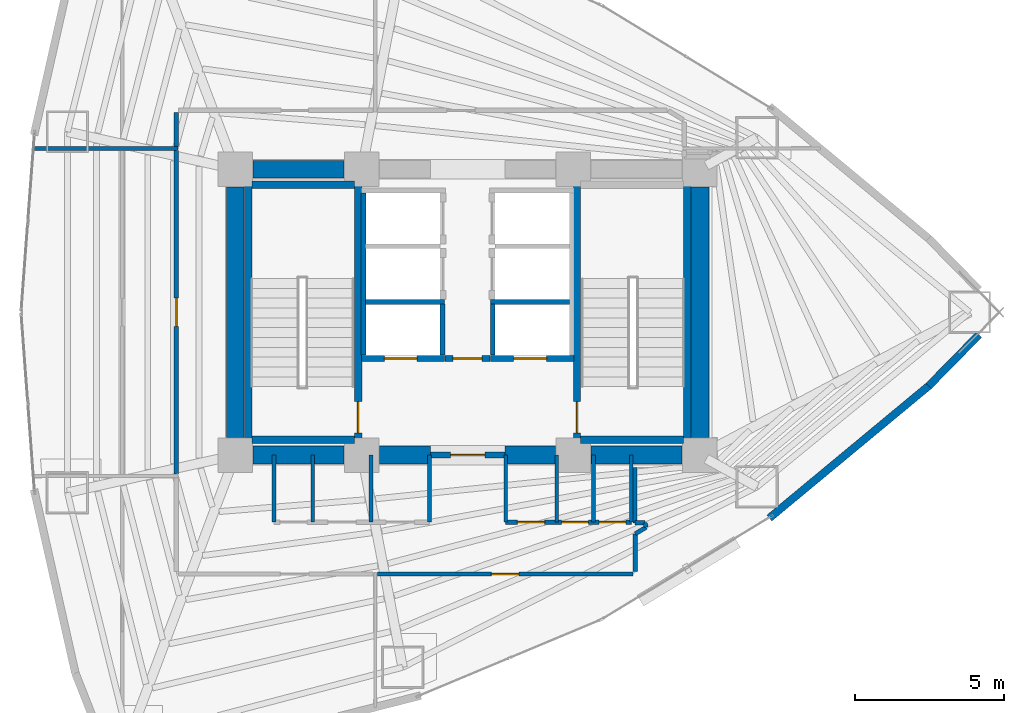
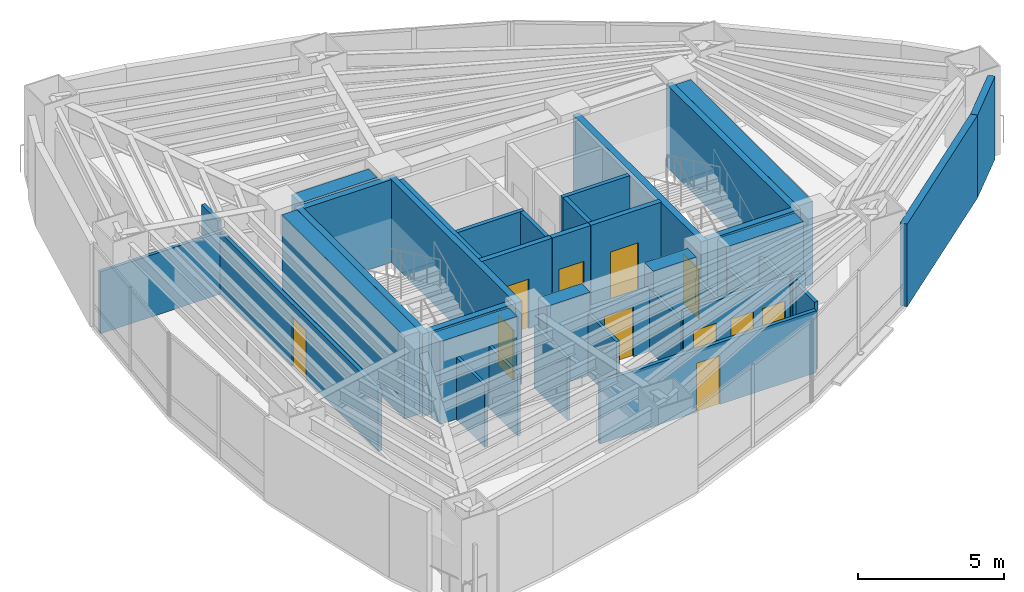
# One storey, part 14 of 17: 43 walls, 11 doors, 11 openings.
"""IFC4 building model written with IfcOpenShell, lengths in metres."""

from ifc_helpers import new_model, si_unit, direction, frame, frame_2d, origin, place, context, subcontext, project, spatial, rectangle, extrude, material, layer, layer_set, type_object, element, fill, save


model = new_model("IFC4")

# Units and contexts
model_context = context("Model", 3, precision=1e-05, world=origin(), true_north=direction((0.0, 1.0)))
body_context = subcontext(model_context, "Body", "Model", "MODEL_VIEW")
ifc_project = project(units=[si_unit("LENGTHUNIT", "METRE"), si_unit("AREAUNIT", "SQUARE_METRE"), si_unit("VOLUMEUNIT", "CUBIC_METRE"), si_unit("PLANEANGLEUNIT", "RADIAN"), si_unit("MASSUNIT", "GRAM", prefix="KILO")], contexts=[model_context])

# Site, building, storey
site_placement = place(None, origin())
site = spatial("IfcSite", under=ifc_project, at=site_placement, CompositionType="ELEMENT")
building_placement = place(site_placement, origin())
building = spatial("IfcBuilding", under=site, at=building_placement, Name="Menara Vayukalpa", CompositionType="ELEMENT")
storey_placement = place(building_placement, frame((0.0, 0.0, 42.47998046875)))
storey = spatial("IfcBuildingStorey", under=building, at=storey_placement, Name="L09", CompositionType="ELEMENT", Elevation=42.47998046875)

# Walls
ifc_material_1 = material(Name="Concrete C70/85", Category="concrete")
ifc_layer_1 = layer(ifc_material_1, 0.60009765625)
ifc_layer_set_1 = layer_set([ifc_layer_1], Name="Concrete C70/85")
wall_type_1 = type_object("IfcWallType", Name="WAL-CW600", PredefinedType="SHEAR", material=ifc_layer_set_1)
wall_1_placement = place(storey_placement, frame((18.39501953125, 17.199951171875, 0.0), z_axis=(0.0, 0.0, 1.0), x_axis=(1.0, 0.0, 0.0)))
element("IfcWall", 1, at=wall_1_placement, inside=storey, type_object=wall_type_1, Name="L09 Buttressed Core Shear Wall CWS1", PredefinedType="SHEAR", context=body_context, shape_type="SweptSolid", body=[
    extrude(rectangle(XDim=3.06005859375, YDim=0.60009765625, at=frame_2d((1.530029296875, 0.0))), origin(), (0.0, 0.0, 1.0), 3.469970703125),
])
wall_2_placement = place(storey_placement, frame((22.64501953125, 17.199951171875, 0.0), z_axis=(0.0, 0.0, 1.0), x_axis=(1.0, 0.0, 0.0)))
element("IfcWall", 2, at=wall_2_placement, inside=storey, type_object=wall_type_1, Name="L09 Buttressed Core Shear Wall CWS2", PredefinedType="SHEAR", context=body_context, shape_type="SweptSolid", body=[
    extrude(rectangle(XDim=1.705078125, YDim=0.60009765625, at=frame_2d((0.8525390625, 0.0))), origin(), (0.0, 0.0, 1.0), 3.469970703125),
])
wall_3_placement = place(storey_placement, frame((26.85009765625, 17.199951171875, 0.0), z_axis=(0.0, 0.0, 1.0), x_axis=(1.0, 0.0, 0.0)))
element("IfcWall", 3, at=wall_3_placement, inside=storey, type_object=wall_type_1, Name="L09 Buttressed Core Shear Wall CWS3", PredefinedType="SHEAR", context=body_context, shape_type="SweptSolid", body=[
    extrude(rectangle(XDim=1.704833984375, YDim=0.60009765625, at=frame_2d((0.8525390625, 0.0))), origin(), (0.0, 0.0, 1.0), 3.469970703125),
])
wall_4_placement = place(storey_placement, frame((29.7451171875, 17.199951171875, 0.0), z_axis=(0.0, 0.0, 1.0), x_axis=(1.0, 0.0, 0.0)))
element("IfcWall", 4, at=wall_4_placement, inside=storey, type_object=wall_type_1, Name="L09 Buttressed Core Shear Wall CWS4", PredefinedType="SHEAR", context=body_context, shape_type="SweptSolid", body=[
    extrude(rectangle(XDim=3.059814453125, YDim=0.60009765625, at=frame_2d((1.52978515625, 0.0))), origin(), (0.0, 0.0, 1.0), 3.469970703125),
])
wall_5_placement = place(storey_placement, frame((18.39501953125, 26.800048828125, 0.0), z_axis=(0.0, 0.0, 1.0), x_axis=(1.0, 0.0, 0.0)))
element("IfcWall", 5, at=wall_5_placement, inside=storey, type_object=wall_type_1, Name="L09 Buttressed Core Shear Wall CWN1", PredefinedType="SHEAR", context=body_context, shape_type="SweptSolid", body=[
    extrude(rectangle(XDim=3.06005859375, YDim=0.60009765625, at=frame_2d((1.530029296875, 0.0))), origin(), (0.0, 0.0, 1.0), 3.469970703125),
])
for number, where, z_axis, x_axis, name in (
    (6, (17.800048828125, 17.794921875, 0.0), (0.0, 0.0, 1.0), (0.0, 1.0, 0.0), "L09 Buttressed Core Shear Wall CWW1"),
    (7, (33.39990234375, 17.794921875, 0.0), (0.0, 0.0, 1.0), (0.0, 1.0, 0.0), "L09 Buttressed Core Shear Wall CWE1"),
):
    element("IfcWall", number, at=place(storey_placement, frame(where, z_axis=z_axis, x_axis=x_axis)), inside=storey, type_object=wall_type_1, Name=name, PredefinedType="SHEAR", context=body_context, shape_type="SweptSolid", body=[
        extrude(rectangle(XDim=8.41015625, YDim=0.60009765625, at=frame_2d((4.205078125, 0.0))), origin(), (0.0, 0.0, 1.0), 3.469970703125),
    ])
ifc_material_2 = material(Name="Insulated Precast Concrete C40/50", Category="concrete")
ifc_layer_2 = layer(ifc_material_2, 0.260009765625)
ifc_layer_set_2 = layer_set([ifc_layer_2], Name="Insulated Precast Concrete C40/50")
wall_type_2 = type_object("IfcWallType", Name="WAL-EXT260", PredefinedType="PARTITIONING", material=ifc_layer_set_2)
wall_6_placement = place(storey_placement, frame((42.770263671875, 21.24169921875, 0.0), z_axis=(0.0, 0.0, 1.0), x_axis=(-0.70059851419, -0.713555689427, 0.0)))
element("IfcWall", 8, at=wall_6_placement, inside=storey, type_object=wall_type_2, Name="L09 Perimeter Terracotta Pier Wall 01", PredefinedType="PARTITIONING", context=body_context, shape_type="SweptSolid", body=[
    extrude(rectangle(XDim=2.411865234375, YDim=0.260009765625, at=frame_2d((1.2060546875, 0.0))), origin(), (0.0, 0.0, 1.0), 3.469970703125),
])
wall_7_placement = place(storey_placement, frame((41.08935546875, 19.52880859375, 0.0), z_axis=(0.0, 0.0, 1.0), x_axis=(-0.769754596928, -0.638339925517, 0.0)))
element("IfcWall", 9, at=wall_7_placement, inside=storey, type_object=wall_type_2, Name="L09 Perimeter Terracotta Pier Wall 18", PredefinedType="PARTITIONING", context=body_context, shape_type="SweptSolid", body=[
    extrude(rectangle(XDim=6.959228515625, YDim=0.260009765625, at=frame_2d((3.4794921875, 0.0))), origin(), (0.0, 0.0, 1.0), 3.469970703125),
])
ifc_material_3 = material(Name="Lightweight Concrete Blockwork C16/20", Category="masonry")
ifc_layer_3 = layer(ifc_material_3, 0.159912109375)
ifc_layer_set_3 = layer_set([ifc_layer_3], Name="Lightweight Concrete Blockwork C16/20")
wall_type_3 = type_object("IfcWallType", Name="WAL-FR150", PredefinedType="PARTITIONING", material=ifc_layer_set_3)
wall_8_placement = place(storey_placement, frame((22.10498046875, 20.56005859375, 0.0), z_axis=(0.0, 0.0, 1.0), x_axis=(0.0, 1.0, 0.0)))
element("IfcWall", 10, at=wall_8_placement, inside=storey, type_object=wall_type_3, Name="L09 Interior Partition IW-L09-SHW-WW", PredefinedType="PARTITIONING", context=body_context, shape_type="SweptSolid", body=[
    extrude(rectangle(XDim=5.449951171875, YDim=0.159912109375, at=frame_2d((2.72509765625, 0.0))), origin(), (0.0, 0.0, 1.0), 3.469970703125),
])
wall_9_placement = place(storey_placement, frame((24.7548828125, 20.56005859375, 0.0), z_axis=(0.0, 0.0, 1.0), x_axis=(0.0, 1.0, 0.0)))
element("IfcWall", 11, at=wall_9_placement, inside=storey, type_object=wall_type_3, Name="L09 Interior Partition IW-L09-SHW-W1E", PredefinedType="PARTITIONING", context=body_context, shape_type="SweptSolid", body=[
    extrude(rectangle(XDim=1.7099609375, YDim=0.159912109375, at=frame_2d((0.85498046875, 0.0))), origin(), (0.0, 0.0, 1.0), 3.469970703125),
])
wall_10_placement = place(storey_placement, frame((22.179931640625, 22.344970703125, 0.0), z_axis=(0.0, 0.0, 1.0), x_axis=(1.0, 0.0, 0.0)))
element("IfcWall", 12, at=wall_10_placement, inside=storey, type_object=wall_type_3, Name="L09 Interior Partition IW-L09-SHM-W12", PredefinedType="PARTITIONING", context=body_context, shape_type="SweptSolid", body=[
    extrude(rectangle(XDim=2.650146484375, YDim=0.159912109375, at=frame_2d((1.3251953125, 0.0))), origin(), (0.0, 0.0, 1.0), 3.469970703125),
])
wall_11_placement = place(storey_placement, frame((26.445068359375, 20.56005859375, 0.0), z_axis=(0.0, 0.0, 1.0), x_axis=(0.0, 1.0, 0.0)))
element("IfcWall", 13, at=wall_11_placement, inside=storey, type_object=wall_type_3, Name="L09 Interior Partition IW-L09-SHW-E1W", PredefinedType="PARTITIONING", context=body_context, shape_type="SweptSolid", body=[
    extrude(rectangle(XDim=1.7099609375, YDim=0.159912109375, at=frame_2d((0.85498046875, 0.0))), origin(), (0.0, 0.0, 1.0), 3.469970703125),
])
wall_12_placement = place(storey_placement, frame((26.3701171875, 22.344970703125, 0.0), z_axis=(0.0, 0.0, 1.0), x_axis=(1.0, 0.0, 0.0)))
element("IfcWall", 14, at=wall_12_placement, inside=storey, type_object=wall_type_3, Name="L09 Interior Partition IW-L09-SHM-E13", PredefinedType="PARTITIONING", context=body_context, shape_type="SweptSolid", body=[
    extrude(rectangle(XDim=2.64990234375, YDim=0.159912109375, at=frame_2d((1.324951171875, 0.0))), origin(), (0.0, 0.0, 1.0), 3.469970703125),
])

# Wall, opening, door
ifc_material_4 = material(Name="Lightweight Concrete Blockwork C16/20", Category="masonry")
ifc_layer_4 = layer(ifc_material_4, 0.199951171875)
ifc_layer_set_4 = layer_set([ifc_layer_4], Name="Lightweight Concrete Blockwork C16/20")
wall_type_4 = type_object("IfcWallType", Name="WAL-FR200", PredefinedType="PARTITIONING", material=ifc_layer_set_4)
wall_13_placement = place(storey_placement, frame((24.35009765625, 17.199951171875, 0.0), z_axis=(0.0, 0.0, 1.0), x_axis=(1.0, 0.0, 0.0)))
wall_13 = element("IfcWall", 15, at=wall_13_placement, inside=storey, type_object=wall_type_4, Name="L09 Interior Partition IW-L09-FFLS", PredefinedType="PARTITIONING", context=body_context, shape_type="SweptSolid", body=[
    extrude(rectangle(XDim=2.5, YDim=0.199951171875, at=frame_2d((1.25, 0.0))), origin(), (0.0, 0.0, 1.0), 2.60009765625),
])
opening_1_placement = place(wall_13_placement, frame((0.679931640625, 0.0, 0.0)))
opening_1 = element("IfcOpeningElement", 16, at=opening_1_placement, cuts=wall_13, Name="Opening ID2", PredefinedType="OPENING", context=body_context, shape_type="SweptSolid", body=[
    extrude(rectangle(XDim=1.14990234375, YDim=2.080078125, at=frame_2d((0.574951171875, 1.0400390625))), frame((0.0, 0.10986328125, 0.0), z_axis=(0.0, -1.0, 0.0), x_axis=(1.0, 0.0, 0.0)), (0.0, 0.0, 1.0), 0.219970703125),
])
ifc_material_5 = material(Name="Fire-Rated Powder-Coated Steel Door", Category="steel")
door_type_1 = type_object("IfcDoorType", Name="DR-FD60W", OperationType="NOTDEFINED", PredefinedType="DOOR", material=ifc_material_5)
door_1_placement = place(opening_1_placement, origin())
door_1 = element("IfcDoor", 17, at=door_1_placement, inside=storey, type_object=door_type_1, Name="L09 Interior Door DR-L09-FFLS", OperationType="SINGLE_SWING_LEFT", OverallHeight=2.080078125, OverallWidth=1.14990234375, PredefinedType="DOOR", context=body_context, shape_type="SweptSolid", body=[
    extrude(rectangle(XDim=1.14990234375, YDim=2.080078125, at=frame_2d((0.574951171875, 1.0400390625))), frame((0.0, 0.02490234375, 0.0), z_axis=(0.0, -1.0, 0.0), x_axis=(1.0, 0.0, 0.0)), (0.0, 0.0, 1.0), 0.050048828125),
])
fill(opening_1, door_1)

wall_14_placement = place(storey_placement, frame((24.840087890625, 20.449951171875, 0.0), z_axis=(0.0, 0.0, 1.0), x_axis=(1.0, 0.0, 0.0)))
wall_14 = element("IfcWall", 18, at=wall_14_placement, inside=storey, type_object=wall_type_4, Name="L09 Interior Partition IW-L09-FFLN", PredefinedType="PARTITIONING", context=body_context, shape_type="SweptSolid", body=[
    extrude(rectangle(XDim=1.52001953125, YDim=0.199951171875, at=frame_2d((0.760009765625, 0.0))), origin(), (0.0, 0.0, 1.0), 3.469970703125),
])
opening_2_placement = place(wall_14_placement, frame((0.27001953125, 0.0, 0.0)))
opening_2 = element("IfcOpeningElement", 19, at=opening_2_placement, cuts=wall_14, Name="Opening ID3", PredefinedType="OPENING", context=body_context, shape_type="SweptSolid", body=[
    extrude(rectangle(XDim=0.97998046875, YDim=2.06005859375, at=frame_2d((0.489990234375, 1.030029296875))), frame((0.0, 0.10986328125, 0.0), z_axis=(0.0, -1.0, 0.0), x_axis=(1.0, 0.0, 0.0)), (0.0, 0.0, 1.0), 0.219970703125),
])
ifc_material_6 = material(Name="Fire-Rated Powder-Coated Steel Door", Category="steel")
door_type_2 = type_object("IfcDoorType", Name="DR-FD60", OperationType="NOTDEFINED", PredefinedType="DOOR", material=ifc_material_6)
door_2_placement = place(opening_2_placement, origin())
door_2 = element("IfcDoor", 20, at=door_2_placement, inside=storey, type_object=door_type_2, Name="L09 Interior Door DR-L09-FFLN", OperationType="SINGLE_SWING_RIGHT", OverallHeight=2.06005859375, OverallWidth=0.97998046875, PredefinedType="DOOR", context=body_context, shape_type="SweptSolid", body=[
    extrude(rectangle(XDim=0.97998046875, YDim=2.06005859375, at=frame_2d((0.489990234375, 1.030029296875))), frame((0.0, 0.02490234375, 0.0), z_axis=(0.0, -1.0, 0.0), x_axis=(1.0, 0.0, 0.0)), (0.0, 0.0, 1.0), 0.050048828125),
])
fill(opening_2, door_2)

wall_15_placement = place(storey_placement, frame((22.030029296875, 20.449951171875, 0.0), z_axis=(0.0, 0.0, 1.0), x_axis=(1.0, 0.0, 0.0)))
wall_15 = element("IfcWall", 21, at=wall_15_placement, inside=storey, type_object=wall_type_4, Name="L09 Interior Partition IW-L09-SH-W1", PredefinedType="PARTITIONING", context=body_context, shape_type="SweptSolid", body=[
    extrude(rectangle(XDim=2.800048828125, YDim=0.199951171875, at=frame_2d((1.39990234375, 0.0))), origin(), (0.0, 0.0, 1.0), 3.469970703125),
])
opening_3_placement = place(wall_15_placement, frame((0.780029296875, 0.0, 0.0)))
opening_3 = element("IfcOpeningElement", 22, at=opening_3_placement, cuts=wall_15, Name="Opening LD1", PredefinedType="OPENING", context=body_context, shape_type="SweptSolid", body=[
    extrude(rectangle(XDim=1.10009765625, YDim=2.080078125, at=frame_2d((0.550048828125, 1.0400390625))), frame((0.0, 0.10986328125, 0.0), z_axis=(0.0, -1.0, 0.0), x_axis=(1.0, 0.0, 0.0)), (0.0, 0.0, 1.0), 0.219970703125),
])
ifc_material_7 = material(Name="Brushed Stainless Steel 316 Lift Door", Category="steel")
door_type_3 = type_object("IfcDoorType", Name="DR-LD110", OperationType="NOTDEFINED", PredefinedType="DOOR", material=ifc_material_7)
door_3_placement = place(opening_3_placement, origin())
door_3 = element("IfcDoor", 23, at=door_3_placement, inside=storey, type_object=door_type_3, Name="L09 Interior Door DR-L09-LD-W1", OperationType="DOUBLE_DOOR_SLIDING", OverallHeight=2.080078125, OverallWidth=1.10009765625, PredefinedType="DOOR", context=body_context, shape_type="SweptSolid", body=[
    extrude(rectangle(XDim=1.10009765625, YDim=2.080078125, at=frame_2d((0.550048828125, 1.0400390625))), frame((0.0, 0.02490234375, 0.0), z_axis=(0.0, -1.0, 0.0), x_axis=(1.0, 0.0, 0.0)), (0.0, 0.0, 1.0), 0.050048828125),
])
fill(opening_3, door_3)

wall_16_placement = place(storey_placement, frame((26.3701171875, 20.449951171875, 0.0), z_axis=(0.0, 0.0, 1.0), x_axis=(1.0, 0.0, 0.0)))
wall_16 = element("IfcWall", 24, at=wall_16_placement, inside=storey, type_object=wall_type_4, Name="L09 Interior Partition IW-L09-SH-E1", PredefinedType="PARTITIONING", context=body_context, shape_type="SweptSolid", body=[
    extrude(rectangle(XDim=2.7998046875, YDim=0.199951171875, at=frame_2d((1.39990234375, 0.0))), origin(), (0.0, 0.0, 1.0), 3.469970703125),
])
opening_4_placement = place(wall_16_placement, frame((0.780029296875, 0.0, 0.0)))
opening_4 = element("IfcOpeningElement", 25, at=opening_4_placement, cuts=wall_16, Name="Opening LD1", PredefinedType="OPENING", context=body_context, shape_type="SweptSolid", body=[
    extrude(rectangle(XDim=1.10009765625, YDim=2.080078125, at=frame_2d((0.550048828125, 1.0400390625))), frame((0.0, 0.10986328125, 0.0), z_axis=(0.0, -1.0, 0.0), x_axis=(1.0, 0.0, 0.0)), (0.0, 0.0, 1.0), 0.219970703125),
])
door_4_placement = place(opening_4_placement, origin())
door_4 = element("IfcDoor", 26, at=door_4_placement, inside=storey, type_object=door_type_3, Name="L09 Interior Door DR-L09-LD-E1", OperationType="DOUBLE_DOOR_SLIDING", OverallHeight=2.080078125, OverallWidth=1.10009765625, PredefinedType="DOOR", context=body_context, shape_type="SweptSolid", body=[
    extrude(rectangle(XDim=1.10009765625, YDim=2.080078125, at=frame_2d((0.550048828125, 1.0400390625))), frame((0.0, 0.02490234375, 0.0), z_axis=(0.0, -1.0, 0.0), x_axis=(1.0, 0.0, 0.0)), (0.0, 0.0, 1.0), 0.050048828125),
])
fill(opening_4, door_4)

# Walls
ifc_material_8 = material(Name="Acoustic Mineral Stud Partition", Category="masonry")
ifc_layer_5 = layer(ifc_material_8, 0.110107421875)
ifc_layer_set_5 = layer_set([ifc_layer_5], Name="Acoustic Mineral Stud Partition")
wall_type_5 = type_object("IfcWallType", Name="WAL-PT110", PredefinedType="PARTITIONING", material=ifc_layer_set_5)
for number, where, z_axis, x_axis, name in (
    (27, (20.39990234375, 14.949951171875, 0.0), (0.0, 0.0, 1.0), (0.0, 1.0, 0.0), "L09 Interior Partition IW-L09-SVCD-02"),
    (28, (26.8798828125, 14.949951171875, 0.0), (0.0, 0.0, 1.0), (0.0, 1.0, 0.0), "L09 Interior Partition IW-L09-SVCD-05"),
    (29, (31.10009765625, 14.949951171875, 0.0), (0.0, 0.0, 1.0), (0.0, 1.0, 0.0), "L09 Interior Partition IW-L09-SVCD-08"),
):
    element("IfcWall", number, at=place(storey_placement, frame(where, z_axis=z_axis, x_axis=x_axis)), inside=storey, type_object=wall_type_5, Name=name, PredefinedType="PARTITIONING", context=body_context, shape_type="SweptSolid", body=[
        extrude(rectangle(XDim=2.25, YDim=0.110107421875, at=frame_2d((1.125, 0.0))), origin(), (0.0, 0.0, 1.0), 2.60009765625),
    ])
ifc_material_9 = material(Name="Gypsum Drywall Steel Stud Assembly", Category="steel")
ifc_layer_6 = layer(ifc_material_9, 0.125)
ifc_layer_set_6 = layer_set([ifc_layer_6], Name="Gypsum Drywall Steel Stud Assembly")
wall_type_6 = type_object("IfcWallType", Name="WAL-PT125", PredefinedType="PARTITIONING", material=ifc_layer_set_6)
for number, where, z_axis, x_axis, name in (
    (30, (19.10009765625, 14.949951171875, 0.0), (0.0, 0.0, 1.0), (0.0, 1.0, 0.0), "L09 Interior Partition IW-L09-SVCD-01"),
    (31, (22.360107421875, 14.949951171875, 0.0), (0.0, 0.0, 1.0), (0.0, 1.0, 0.0), "L09 Interior Partition IW-L09-SVCD-03"),
    (32, (24.320068359375, 14.949951171875, 0.0), (0.0, 0.0, 1.0), (0.0, 1.0, 0.0), "L09 Interior Partition IW-L09-SVCD-04"),
    (33, (28.590087890625, 14.949951171875, 0.0), (0.0, 0.0, 1.0), (0.0, 1.0, 0.0), "L09 Interior Partition IW-L09-SVCD-06"),
    (34, (29.830078125, 14.949951171875, 0.0), (0.0, 0.0, 1.0), (0.0, 1.0, 0.0), "L09 Interior Partition IW-L09-SVCD-07"),
):
    element("IfcWall", number, at=place(storey_placement, frame(where, z_axis=z_axis, x_axis=x_axis)), inside=storey, type_object=wall_type_6, Name=name, PredefinedType="PARTITIONING", context=body_context, shape_type="SweptSolid", body=[
        extrude(rectangle(XDim=2.25, YDim=0.125, at=frame_2d((1.125, 0.0))), origin(), (0.0, 0.0, 1.0), 2.60009765625),
    ])
wall_17_placement = place(storey_placement, frame((11.01220703125, 27.5, 0.0), z_axis=(0.0, 0.0, 1.0), x_axis=(1.0, 0.0, 0.0)))
element("IfcWall", 35, at=wall_17_placement, inside=storey, type_object=wall_type_6, Name="L09 Interior Partition IW-L09-RDIV05", PredefinedType="PARTITIONING", context=body_context, shape_type="SweptSolid", body=[
    extrude(rectangle(XDim=4.85791015625, YDim=0.125, at=frame_2d((2.428955078125, 0.0))), origin(), (0.0, 0.0, 1.0), 2.60009765625),
])

# Wall, openings, doors
ifc_material_10 = material(Name="Gypsum Drywall Acoustic Stud Assembly", Category="masonry")
ifc_layer_7 = layer(ifc_material_10, 0.14501953125)
ifc_layer_set_7 = layer_set([ifc_layer_7], Name="Gypsum Drywall Acoustic Stud Assembly")
wall_type_7 = type_object("IfcWallType", Name="WAL-PT150", PredefinedType="PARTITIONING", material=ifc_layer_set_7)
wall_18_placement = place(storey_placement, frame((26.8798828125, 14.949951171875, 0.0), z_axis=(0.0, 0.0, 1.0), x_axis=(1.0, 0.0, 0.0)))
wall_18 = element("IfcWall", 36, at=wall_18_placement, inside=storey, type_object=wall_type_7, Name="L09 Interior Partition IW-L09-SVCS-E", PredefinedType="PARTITIONING", context=body_context, shape_type="SweptSolid", body=[
    extrude(rectangle(XDim=4.22021484375, YDim=0.14501953125, at=frame_2d((2.110107421875, 0.0))), origin(), (0.0, 0.0, 1.0), 3.0),
])
opening_5_placement = place(wall_18_placement, frame((0.389892578125, 0.0, 0.0)))
opening_5 = element("IfcOpeningElement", 37, at=opening_5_placement, cuts=wall_18, Name="Opening ID6", PredefinedType="OPENING", context=body_context, shape_type="SweptSolid", body=[
    extrude(rectangle(XDim=0.919921875, YDim=2.050048828125, at=frame_2d((0.4599609375, 1.02490234375))), frame((0.0, 0.08251953125, 0.0), z_axis=(0.0, -1.0, 0.0), x_axis=(1.0, 0.0, 0.0)), (0.0, 0.0, 1.0), 0.1650390625),
])
opening_6_placement = place(wall_18_placement, frame((1.8798828125, 0.0, 0.0)))
opening_6 = element("IfcOpeningElement", 38, at=opening_6_placement, cuts=wall_18, Name="Opening ID7", PredefinedType="OPENING", context=body_context, shape_type="SweptSolid", body=[
    extrude(rectangle(XDim=0.89990234375, YDim=2.02001953125, at=frame_2d((0.449951171875, 1.010009765625))), frame((0.0, 0.08251953125, 0.0), z_axis=(0.0, -1.0, 0.0), x_axis=(1.0, 0.0, 0.0)), (0.0, 0.0, 1.0), 0.1650390625),
])
opening_7_placement = place(wall_18_placement, frame((3.139892578125, 0.0, 0.0)))
opening_7 = element("IfcOpeningElement", 39, at=opening_7_placement, cuts=wall_18, Name="Opening ID7", PredefinedType="OPENING", context=body_context, shape_type="SweptSolid", body=[
    extrude(rectangle(XDim=0.89990234375, YDim=2.02001953125, at=frame_2d((0.449951171875, 1.010009765625))), frame((0.0, 0.08251953125, 0.0), z_axis=(0.0, -1.0, 0.0), x_axis=(1.0, 0.0, 0.0)), (0.0, 0.0, 1.0), 0.1650390625),
])
ifc_material_11 = material(Name="Acoustic Hardwood Veneer Timber Door", Category="wood")
door_type_4 = type_object("IfcDoorType", Name="DR-INT92", OperationType="NOTDEFINED", PredefinedType="DOOR", material=ifc_material_11)
door_5_placement = place(opening_5_placement, origin())
door_5 = element("IfcDoor", 40, at=door_5_placement, inside=storey, type_object=door_type_4, Name="L09 Interior Door DR-L09-KSV1", OperationType="SINGLE_SWING_RIGHT", OverallHeight=2.050048828125, OverallWidth=0.919921875, PredefinedType="DOOR", context=body_context, shape_type="SweptSolid", body=[
    extrude(rectangle(XDim=0.919921875, YDim=2.050048828125, at=frame_2d((0.4599609375, 1.02490234375))), frame((0.0, 0.02490234375, 0.0), z_axis=(0.0, -1.0, 0.0), x_axis=(1.0, 0.0, 0.0)), (0.0, 0.0, 1.0), 0.050048828125),
])
fill(opening_5, door_5)
ifc_material_12 = material(Name="Powder-Coated Steel Riser Access Door", Category="steel")
door_type_5 = type_object("IfcDoorType", Name="DR-RISER", OperationType="NOTDEFINED", PredefinedType="DOOR", material=ifc_material_12)
door_6_placement = place(opening_6_placement, origin())
door_6 = element("IfcDoor", 41, at=door_6_placement, inside=storey, type_object=door_type_5, Name="L09 Interior Door DR-L09-KSV2", OperationType="SINGLE_SWING_LEFT", OverallHeight=2.02001953125, OverallWidth=0.89990234375, PredefinedType="DOOR", context=body_context, shape_type="SweptSolid", body=[
    extrude(rectangle(XDim=0.89990234375, YDim=2.02001953125, at=frame_2d((0.449951171875, 1.010009765625))), frame((0.0, 0.02490234375, 0.0), z_axis=(0.0, -1.0, 0.0), x_axis=(1.0, 0.0, 0.0)), (0.0, 0.0, 1.0), 0.050048828125),
])
fill(opening_6, door_6)
door_7_placement = place(opening_7_placement, origin())
door_7 = element("IfcDoor", 42, at=door_7_placement, inside=storey, type_object=door_type_5, Name="L09 Interior Door DR-L09-SMD", OperationType="SINGLE_SWING_RIGHT", OverallHeight=2.02001953125, OverallWidth=0.89990234375, PredefinedType="DOOR", context=body_context, shape_type="SweptSolid", body=[
    extrude(rectangle(XDim=0.89990234375, YDim=2.02001953125, at=frame_2d((0.449951171875, 1.010009765625))), frame((0.0, 0.02490234375, 0.0), z_axis=(0.0, -1.0, 0.0), x_axis=(1.0, 0.0, 0.0)), (0.0, 0.0, 1.0), 0.050048828125),
])
fill(opening_7, door_7)

# Wall, opening, door
wall_19_placement = place(storey_placement, frame((22.570068359375, 13.2099609375, 0.0), z_axis=(0.0, 0.0, 1.0), x_axis=(1.0, 0.0, 0.0)))
wall_19 = element("IfcWall", 43, at=wall_19_placement, inside=storey, type_object=wall_type_7, Name="L09 Interior Partition IW-L09-CRM04-1", PredefinedType="PARTITIONING", context=body_context, shape_type="SweptSolid", body=[
    extrude(rectangle(XDim=8.579833984375, YDim=0.14501953125, at=frame_2d((4.2900390625, 0.0))), origin(), (0.0, 0.0, 1.0), 2.60009765625),
])
opening_8_placement = place(wall_19_placement, frame((3.830078125, 0.0, 0.0)))
opening_8 = element("IfcOpeningElement", 44, at=opening_8_placement, cuts=wall_19, Name="Opening ID6", PredefinedType="OPENING", context=body_context, shape_type="SweptSolid", body=[
    extrude(rectangle(XDim=0.919921875, YDim=2.050048828125, at=frame_2d((0.4599609375, 1.02490234375))), frame((0.0, 0.08251953125, 0.0), z_axis=(0.0, -1.0, 0.0), x_axis=(1.0, 0.0, 0.0)), (0.0, 0.0, 1.0), 0.1650390625),
])
door_8_placement = place(opening_8_placement, origin())
door_8 = element("IfcDoor", 45, at=door_8_placement, inside=storey, type_object=door_type_4, Name="L09 Interior Door DR-L09-RM04", OperationType="SINGLE_SWING_RIGHT", OverallHeight=2.050048828125, OverallWidth=0.919921875, PredefinedType="DOOR", context=body_context, shape_type="SweptSolid", body=[
    extrude(rectangle(XDim=0.919921875, YDim=2.050048828125, at=frame_2d((0.4599609375, 1.02490234375))), frame((0.0, 0.02490234375, 0.0), z_axis=(0.0, -1.0, 0.0), x_axis=(1.0, 0.0, 0.0)), (0.0, 0.0, 1.0), 0.050048828125),
])
fill(opening_8, door_8)

# Walls
wall_20_placement = place(storey_placement, frame((31.22998046875, 13.2900390625, 0.0), z_axis=(0.0, 0.0, 1.0), x_axis=(0.0, 1.0, 0.0)))
element("IfcWall", 46, at=wall_20_placement, inside=storey, type_object=wall_type_7, Name="L09 Interior Partition IW-L09-CRM04-2", PredefinedType="PARTITIONING", context=body_context, shape_type="SweptSolid", body=[
    extrude(rectangle(XDim=1.26806640625, YDim=0.14501953125, at=frame_2d((0.634033203125, 0.0))), origin(), (0.0, 0.0, 1.0), 2.85009765625),
])
wall_21_placement = place(storey_placement, frame((31.22998046875, 14.55810546875, 0.0), z_axis=(0.0, 0.0, 1.0), x_axis=(0.854931196424, 0.518741408971, 0.0)))
element("IfcWall", 47, at=wall_21_placement, inside=storey, type_object=wall_type_7, Name="L09 Interior Partition IW-L09-CRM04-3", PredefinedType="PARTITIONING", context=body_context, shape_type="SweptSolid", body=[
    extrude(rectangle(XDim=0.4306640625, YDim=0.14501953125, at=frame_2d((0.21533203125, 0.0))), origin(), (0.0, 0.0, 1.0), 3.0),
])
wall_22_placement = place(storey_placement, frame((31.556640625, 14.929931640625, 0.0), z_axis=(0.0, 0.0, 1.0), x_axis=(-1.0, 0.0, 0.0)))
element("IfcWall", 48, at=wall_22_placement, inside=storey, type_object=wall_type_7, Name="L09 Interior Partition IW-L09-CRM04-4", PredefinedType="PARTITIONING", context=body_context, shape_type="SweptSolid", body=[
    extrude(rectangle(XDim=0.336669921875, YDim=0.14501953125, at=frame_2d((0.16845703125, 0.0))), origin(), (0.0, 0.0, 1.0), 3.0),
])
wall_23_placement = place(storey_placement, frame((31.219970703125, 14.929931640625, 0.0), z_axis=(0.0, 0.0, 1.0), x_axis=(0.0, 1.0, 0.0)))
element("IfcWall", 49, at=wall_23_placement, inside=storey, type_object=wall_type_7, Name="L09 Interior Partition IW-L09-CRM04-5", PredefinedType="PARTITIONING", context=body_context, shape_type="SweptSolid", body=[
    extrude(rectangle(XDim=1.85009765625, YDim=0.14501953125, at=frame_2d((0.925048828125, 0.0))), origin(), (0.0, 0.0, 1.0), 2.60009765625),
])
wall_24_placement = place(storey_placement, frame((15.820068359375, 28.699951171875, 0.0), z_axis=(0.0, 0.0, 1.0), x_axis=(0.0, -1.0, 0.0)))
element("IfcWall", 50, at=wall_24_placement, inside=storey, type_object=wall_type_7, Name="L09 Interior Partition IW-L09-CRM06-2", PredefinedType="PARTITIONING", context=body_context, shape_type="SweptSolid", body=[
    extrude(rectangle(XDim=1.1298828125, YDim=0.14501953125, at=frame_2d((0.56494140625, 0.0))), origin(), (0.0, 0.0, 1.0), 3.0),
])

# Wall, opening, door
wall_25_placement = place(storey_placement, frame((15.820068359375, 27.429931640625, 0.0), z_axis=(0.0, 0.0, 1.0), x_axis=(0.0, -1.0, 0.0)))
wall_25 = element("IfcWall", 51, at=wall_25_placement, inside=storey, type_object=wall_type_7, Name="L09 Interior Partition IW-L09-CRM09-1", PredefinedType="PARTITIONING", context=body_context, shape_type="SweptSolid", body=[
    extrude(rectangle(XDim=10.85986328125, YDim=0.14501953125, at=frame_2d((5.429931640625, 0.0))), origin(), (0.0, 0.0, 1.0), 2.60009765625),
])
opening_9_placement = place(wall_25_placement, frame((4.955078125, 0.0, 0.0)))
opening_9 = element("IfcOpeningElement", 52, at=opening_9_placement, cuts=wall_25, Name="Opening ID5", PredefinedType="OPENING", context=body_context, shape_type="SweptSolid", body=[
    extrude(rectangle(XDim=0.949951171875, YDim=2.06005859375, at=frame_2d((0.47509765625, 1.030029296875))), frame((0.0, 0.08251953125, 0.0), z_axis=(0.0, -1.0, 0.0), x_axis=(1.0, 0.0, 0.0)), (0.0, 0.0, 1.0), 0.1650390625),
])
ifc_material_13 = material(Name="Acoustic Hardwood Veneer Timber Door", Category="wood")
door_type_6 = type_object("IfcDoorType", Name="DR-INT95", OperationType="NOTDEFINED", PredefinedType="DOOR", material=ifc_material_13)
door_9_placement = place(opening_9_placement, origin())
door_9 = element("IfcDoor", 53, at=door_9_placement, inside=storey, type_object=door_type_6, Name="L09 Interior Door DR-L09-RM09", OperationType="SINGLE_SWING_LEFT", OverallHeight=2.06005859375, OverallWidth=0.949951171875, PredefinedType="DOOR", context=body_context, shape_type="SweptSolid", body=[
    extrude(rectangle(XDim=0.949951171875, YDim=2.06005859375, at=frame_2d((0.47509765625, 1.030029296875))), frame((0.0, 0.02490234375, 0.0), z_axis=(0.0, -1.0, 0.0), x_axis=(1.0, 0.0, 0.0)), (0.0, 0.0, 1.0), 0.050048828125),
])
fill(opening_9, door_9)

# Walls
wall_26_placement = place(storey_placement, frame((31.59814453125, 14.781494140625, 0.0), z_axis=(0.0, 0.0, 1.0), x_axis=(-0.269277388617, 0.963062660464, 0.0)))
element("IfcWall", 54, at=wall_26_placement, inside=storey, type_object=wall_type_7, Name="L09 Interior Partition IW-L09-CRM04-3-R1", PredefinedType="PARTITIONING", context=body_context, shape_type="SweptSolid", body=[
    extrude(rectangle(XDim=0.154052734375, YDim=0.14501953125, at=frame_2d((0.0771484375, 0.0))), origin(), (0.0, 0.0, 1.0), 3.0),
])
ifc_material_14 = material(Name="Concrete C50/60", Category="concrete")
ifc_layer_8 = layer(ifc_material_14, 0.25)
ifc_layer_set_8 = layer_set([ifc_layer_8], Name="Concrete C50/60")
wall_type_8 = type_object("IfcWallType", Name="WAL-SW250", PredefinedType="SHEAR", material=ifc_layer_set_8)
wall_27_placement = place(storey_placement, frame((18.22900390625, 17.60009765625, 0.0), z_axis=(0.0, 0.0, 1.0), x_axis=(0.0, 1.0, 0.0)))
element("IfcWall", 55, at=wall_27_placement, inside=storey, type_object=wall_type_8, Name="L09 ST1 Structural Stair Shaft Wall W", PredefinedType="SHEAR", context=body_context, shape_type="SweptSolid", body=[
    extrude(rectangle(XDim=8.7998046875, YDim=0.25, at=frame_2d((4.39990234375, 0.0))), origin(), (0.0, 0.0, 1.0), 3.469970703125),
])

# Wall, opening, door
wall_28_placement = place(storey_placement, frame((21.925048828125, 17.60009765625, 0.0), z_axis=(0.0, 0.0, 1.0), x_axis=(0.0, 1.0, 0.0)))
wall_28 = element("IfcWall", 56, at=wall_28_placement, inside=storey, type_object=wall_type_8, Name="L09 ST1 Structural Stair Shaft Wall E", PredefinedType="SHEAR", context=body_context, shape_type="SweptSolid", body=[
    extrude(rectangle(XDim=8.7998046875, YDim=0.25, at=frame_2d((4.39990234375, 0.0))), origin(), (0.0, 0.0, 1.0), 3.469970703125),
])
opening_10_placement = place(wall_28_placement, frame((0.35009765625, 0.0, 0.0)))
opening_10 = element("IfcOpeningElement", 57, at=opening_10_placement, cuts=wall_28, Name="Opening ID1", PredefinedType="OPENING", context=body_context, shape_type="SweptSolid", body=[
    extrude(rectangle(XDim=1.050048828125, YDim=2.080078125, at=frame_2d((0.52490234375, 1.0400390625))), frame((0.0, 0.135009765625, 0.0), z_axis=(0.0, -1.0, 0.0), x_axis=(1.0, 0.0, 0.0)), (0.0, 0.0, 1.0), 0.27001953125),
])
ifc_material_15 = material(Name="Fire-Rated Powder-Coated Steel Door", Category="steel")
door_type_7 = type_object("IfcDoorType", Name="DR-FD120", OperationType="NOTDEFINED", PredefinedType="DOOR", material=ifc_material_15)
door_10_placement = place(opening_10_placement, origin())
door_10 = element("IfcDoor", 58, at=door_10_placement, inside=storey, type_object=door_type_7, Name="L09 Stair Exit Door DR-L09-ST1", OperationType="SINGLE_SWING_LEFT", OverallHeight=2.080078125, OverallWidth=1.050048828125, PredefinedType="DOOR", context=body_context, shape_type="SweptSolid", body=[
    extrude(rectangle(XDim=1.050048828125, YDim=2.080078125, at=frame_2d((0.52490234375, 1.0400390625))), frame((0.0, 0.02490234375, 0.0), z_axis=(0.0, -1.0, 0.0), x_axis=(1.0, 0.0, 0.0)), (0.0, 0.0, 1.0), 0.050048828125),
])
fill(opening_10, door_10)

# Walls
for number, where, z_axis, x_axis, name in (
    (59, (18.35400390625, 17.72509765625, 0.0), (0.0, 0.0, 1.0), (1.0, 0.0, 0.0), "L09 ST1 Structural Stair Shaft Wall S"),
    (60, (18.35400390625, 26.27490234375, 0.0), (0.0, 0.0, 1.0), (1.0, 0.0, 0.0), "L09 ST1 Structural Stair Shaft Wall N"),
):
    element("IfcWall", number, at=place(storey_placement, frame(where, z_axis=z_axis, x_axis=x_axis)), inside=storey, type_object=wall_type_8, Name=name, PredefinedType="SHEAR", context=body_context, shape_type="SweptSolid", body=[
        extrude(rectangle(XDim=3.446044921875, YDim=0.25, at=frame_2d((1.72314453125, 0.0))), origin(), (0.0, 0.0, 1.0), 3.469970703125),
    ])

# Wall, opening, door
wall_29_placement = place(storey_placement, frame((29.27490234375, 17.60009765625, 0.0), z_axis=(0.0, 0.0, 1.0), x_axis=(0.0, 1.0, 0.0)))
wall_29 = element("IfcWall", 61, at=wall_29_placement, inside=storey, type_object=wall_type_8, Name="L09 ST2 Structural Stair Shaft Wall W", PredefinedType="SHEAR", context=body_context, shape_type="SweptSolid", body=[
    extrude(rectangle(XDim=8.7998046875, YDim=0.25, at=frame_2d((4.39990234375, 0.0))), origin(), (0.0, 0.0, 1.0), 3.469970703125),
])
opening_11_placement = place(wall_29_placement, frame((0.35009765625, 0.0, 0.0)))
opening_11 = element("IfcOpeningElement", 62, at=opening_11_placement, cuts=wall_29, Name="Opening ID1", PredefinedType="OPENING", context=body_context, shape_type="SweptSolid", body=[
    extrude(rectangle(XDim=1.050048828125, YDim=2.080078125, at=frame_2d((0.52490234375, 1.0400390625))), frame((0.0, 0.135009765625, 0.0), z_axis=(0.0, -1.0, 0.0), x_axis=(1.0, 0.0, 0.0)), (0.0, 0.0, 1.0), 0.27001953125),
])
door_11_placement = place(opening_11_placement, origin())
door_11 = element("IfcDoor", 63, at=door_11_placement, inside=storey, type_object=door_type_7, Name="L09 Stair Exit Door DR-L09-ST2", OperationType="SINGLE_SWING_RIGHT", OverallHeight=2.080078125, OverallWidth=1.050048828125, PredefinedType="DOOR", context=body_context, shape_type="SweptSolid", body=[
    extrude(rectangle(XDim=1.050048828125, YDim=2.080078125, at=frame_2d((0.52490234375, 1.0400390625))), frame((0.0, 0.02490234375, 0.0), z_axis=(0.0, -1.0, 0.0), x_axis=(1.0, 0.0, 0.0)), (0.0, 0.0, 1.0), 0.050048828125),
])
fill(opening_11, door_11)

# Walls
wall_30_placement = place(storey_placement, frame((32.970947265625, 17.60009765625, 0.0), z_axis=(0.0, 0.0, 1.0), x_axis=(0.0, 1.0, 0.0)))
element("IfcWall", 64, at=wall_30_placement, inside=storey, type_object=wall_type_8, Name="L09 ST2 Structural Stair Shaft Wall E", PredefinedType="SHEAR", context=body_context, shape_type="SweptSolid", body=[
    extrude(rectangle(XDim=8.7998046875, YDim=0.25, at=frame_2d((4.39990234375, 0.0))), origin(), (0.0, 0.0, 1.0), 3.469970703125),
])
wall_31_placement = place(storey_placement, frame((29.39990234375, 17.72509765625, 0.0), z_axis=(0.0, 0.0, 1.0), x_axis=(1.0, 0.0, 0.0)))
element("IfcWall", 65, at=wall_31_placement, inside=storey, type_object=wall_type_8, Name="L09 ST2 Structural Stair Shaft Wall S", PredefinedType="SHEAR", context=body_context, shape_type="SweptSolid", body=[
    extrude(rectangle(XDim=3.446044921875, YDim=0.25, at=frame_2d((1.72314453125, 0.0))), origin(), (0.0, 0.0, 1.0), 3.469970703125),
])

save(model, "model.ifc")
